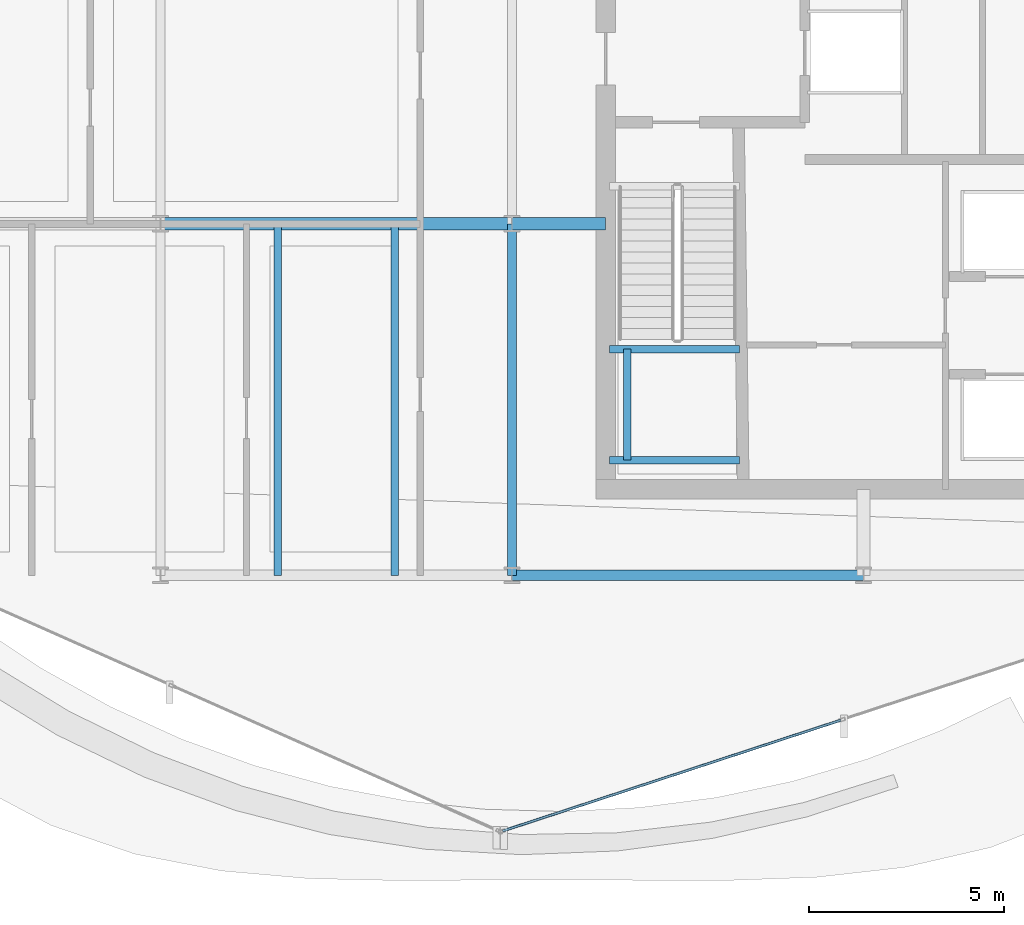
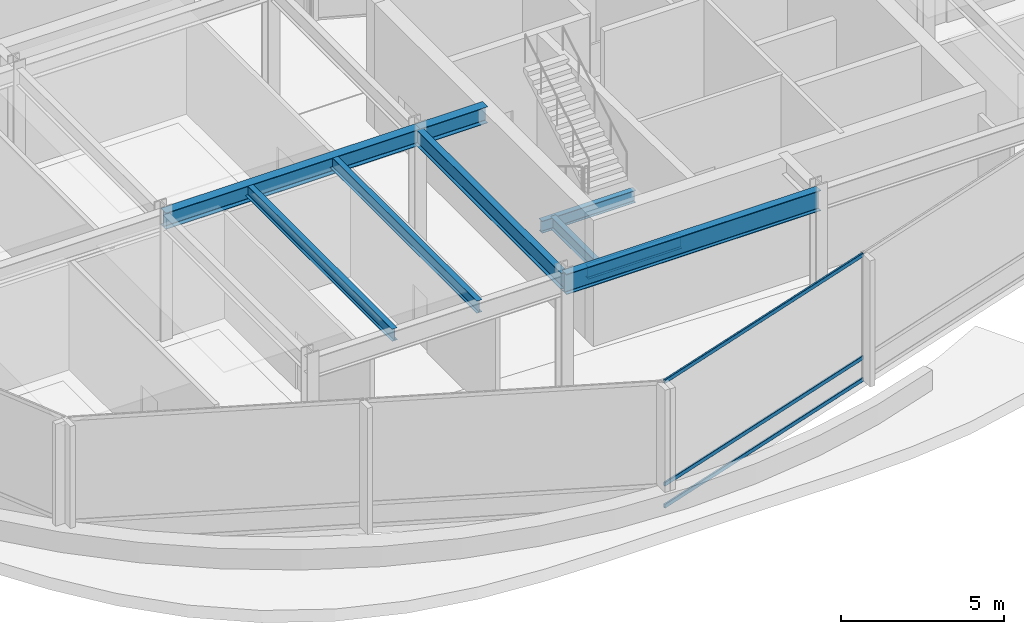
# One storey, part 4 of 29: 9 beams, 3 members, 1 element without a shape of its own.
"""IFC4 building model written with IfcOpenShell, lengths in metres."""

from ifc_helpers import new_model, si_unit, direction, frame, origin, origin_2d, place, context, subcontext, project, spatial, hollow_rectangle, i_section, extrude, material, layer, layer_set, material_profile, profile_set, type_object, element, aggregate, save


model = new_model("IFC4")

# Units and contexts
model_context = context("Model", 3, precision=1e-05, world=origin(), true_north=direction((0.0, 1.0)))
body_context = subcontext(model_context, "Body", "Model", "MODEL_VIEW")
ifc_project = project(units=[si_unit("LENGTHUNIT", "METRE"), si_unit("AREAUNIT", "SQUARE_METRE"), si_unit("VOLUMEUNIT", "CUBIC_METRE"), si_unit("PLANEANGLEUNIT", "RADIAN"), si_unit("MASSUNIT", "GRAM", prefix="KILO")], contexts=[model_context])

# Site, building, storey
site_placement = place(None, origin())
site = spatial("IfcSite", under=ifc_project, at=site_placement, CompositionType="ELEMENT")
building_placement = place(site_placement, origin())
building = spatial("IfcBuilding", under=site, at=building_placement, Name="Solvaryn Broadcast Tower", CompositionType="ELEMENT")
storey_placement = place(building_placement, frame((0.0, 0.0, 169.199951171875)))
storey = spatial("IfcBuildingStorey", under=building, at=storey_placement, Name="L42", CompositionType="ELEMENT", Elevation=169.199951171875)

# Beams
ifc_material_1 = material(Name="Steel ASTM A992 Grade 50", Category="steel")
ifc_material_profile_1 = material_profile(ifc_material_1, i_section(OverallWidth=0.323974609375, OverallDepth=0.611083984375, WebThickness=0.0126953125, FlangeThickness=0.01904296875, FilletRadius=0.014892578125, at=origin_2d()))
ifc_profile_set_1 = profile_set([ifc_material_profile_1], Name="Steel ASTM A992 Grade 50")
beam_type_1 = type_object("IfcBeamType", Name="BM-B1-W24X104", PredefinedType="BEAM", material=ifc_profile_set_1)
beam_1_placement = place(storey_placement, frame((18.0, 18.0, 4.41455078125), z_axis=(1.0, 0.0, 0.0), x_axis=(0.0, 1.0, 0.0)))
element("IfcBeam", 1, at=beam_1_placement, inside=storey, type_object=beam_type_1, Name="L42 Primary Beam X (18-27 @ Y=18)", PredefinedType="BEAM", context=body_context, shape_type="SweptSolid", body=[
    extrude(i_section(OverallWidth=0.323974609375, OverallDepth=0.611083984375, WebThickness=0.0126953125, FlangeThickness=0.01904296875, FilletRadius=0.014892578125, at=origin_2d()), origin(), (0.0, 0.0, 1.0), 9.0),
])
beam_2_placement = place(storey_placement, frame((27.0, 18.0, 4.41455078125), z_axis=(1.0, 0.0, 0.0), x_axis=(0.0, 1.0, 0.0)))
element("IfcBeam", 2, at=beam_2_placement, inside=storey, type_object=beam_type_1, Name="L42 Core Tie Beam CTE4", PredefinedType="BEAM", context=body_context, shape_type="SweptSolid", body=[
    extrude(i_section(OverallWidth=0.323974609375, OverallDepth=0.611083984375, WebThickness=0.0126953125, FlangeThickness=0.01904296875, FilletRadius=0.014892578125, at=origin_2d()), origin(), (0.0, 0.0, 1.0), 2.39990234375),
])
ifc_material_2 = material(Name="Steel ASTM A992 Grade 50", Category="steel")
ifc_material_profile_2 = material_profile(ifc_material_2, i_section(OverallWidth=0.22802734375, OverallDepth=0.60791015625, WebThickness=0.01123046875, FlangeThickness=0.017333984375, FilletRadius=0.014892578125, at=origin_2d()))
ifc_profile_set_2 = profile_set([ifc_material_profile_2], Name="Steel ASTM A992 Grade 50")
beam_type_2 = type_object("IfcBeamType", Name="BM-B2-W24X76", PredefinedType="BEAM", material=ifc_profile_set_2)
beam_3_placement = place(storey_placement, frame((27.0, 9.0, 4.416015625), z_axis=(0.0, 1.0, 0.0), x_axis=(-1.0, 0.0, 0.0)))
element("IfcBeam", 3, at=beam_3_placement, inside=storey, type_object=beam_type_2, Name="L42 Primary Beam Y (9-18 @ X=27)", PredefinedType="BEAM", context=body_context, shape_type="SweptSolid", body=[
    extrude(i_section(OverallWidth=0.22802734375, OverallDepth=0.60791015625, WebThickness=0.01123046875, FlangeThickness=0.017333984375, FilletRadius=0.014892578125, at=origin_2d()), origin(), (0.0, 0.0, 1.0), 9.0),
])
ifc_material_3 = material(Name="Steel ASTM A992 Grade 50", Category="steel")
ifc_material_profile_3 = material_profile(ifc_material_3, i_section(OverallWidth=0.18994140625, OverallDepth=0.45703125, WebThickness=0.009033203125, FlangeThickness=0.014404296875, FilletRadius=0.011962890625, at=origin_2d()))
ifc_profile_set_3 = profile_set([ifc_material_profile_3], Name="Steel ASTM A992 Grade 50")
beam_type_3 = type_object("IfcBeamType", Name="BM-B4-W18X50", PredefinedType="BEAM", material=ifc_profile_set_3)
for number, where, z_axis, x_axis, name in (
    (4, (29.5, 11.949951171875, 2.071533203125), (1.0, 0.0, 0.0), (0.0, 1.0, 0.0), "L42 ST3 Landing Support Beam 1A"),
    (5, (29.5, 14.7900390625, 2.071533203125), (1.0, 0.0, 0.0), (0.0, 1.0, 0.0), "L42 ST3 Landing Support Beam 1B"),
):
    element("IfcBeam", number, at=place(storey_placement, frame(where, z_axis=z_axis, x_axis=x_axis)), inside=storey, type_object=beam_type_3, Name=name, PredefinedType="BEAM", context=body_context, shape_type="SweptSolid", body=[
        extrude(i_section(OverallWidth=0.18994140625, OverallDepth=0.45703125, WebThickness=0.009033203125, FlangeThickness=0.014404296875, FilletRadius=0.011962890625, at=origin_2d()), origin(), (0.0, 0.0, 1.0), 3.320068359375),
    ])
beam_4_placement = place(storey_placement, frame((29.949951171875, 11.949951171875, 2.071533203125), z_axis=(0.0, 1.0, 0.0), x_axis=(-1.0, 0.0, 0.0)))
element("IfcBeam", 6, at=beam_4_placement, inside=storey, type_object=beam_type_3, Name="L42 ST3 Landing Cross Stringer 1C", PredefinedType="BEAM", context=body_context, shape_type="SweptSolid", body=[
    extrude(i_section(OverallWidth=0.18994140625, OverallDepth=0.45703125, WebThickness=0.009033203125, FlangeThickness=0.014404296875, FilletRadius=0.011962890625, at=origin_2d()), origin(), (0.0, 0.0, 1.0), 2.840087890625),
])
ifc_material_4 = material(Name="Steel ASTM A992 Grade 50", Category="steel")
ifc_material_profile_4 = material_profile(ifc_material_4, i_section(OverallWidth=0.18994140625, OverallDepth=0.45703125, WebThickness=0.009033203125, FlangeThickness=0.014404296875, FilletRadius=0.011962890625, at=origin_2d()))
ifc_profile_set_4 = profile_set([ifc_material_profile_4], Name="Steel ASTM A992 Grade 50")
beam_type_4 = type_object("IfcBeamType", Name="BM-JOIST-W18X50", PredefinedType="JOIST", material=ifc_profile_set_4)
for number, where, z_axis, x_axis, name in (
    (7, (21.0, 9.0, 4.491455078125), (0.0, 1.0, 0.0), (-1.0, 0.0, 0.0), "L42 Sky-Garden Floor Joist 1"),
    (8, (24.0, 9.0, 4.491455078125), (0.0, 1.0, 0.0), (-1.0, 0.0, 0.0), "L42 Sky-Garden Floor Joist 2"),
):
    element("IfcBeam", number, at=place(storey_placement, frame(where, z_axis=z_axis, x_axis=x_axis)), inside=storey, type_object=beam_type_4, Name=name, PredefinedType="JOIST", context=body_context, shape_type="SweptSolid", body=[
        extrude(i_section(OverallWidth=0.18994140625, OverallDepth=0.45703125, WebThickness=0.009033203125, FlangeThickness=0.014404296875, FilletRadius=0.011962890625, at=origin_2d()), origin(), (0.0, 0.0, 1.0), 9.0),
    ])
ifc_material_5 = material(Name="Steel ASTM A992 Grade 50", Category="steel")
ifc_material_profile_5 = material_profile(ifc_material_5, i_section(OverallWidth=0.26708984375, OverallDepth=0.76611328125, WebThickness=0.014892578125, FlangeThickness=0.023681640625, FilletRadius=0.01806640625, at=origin_2d()))
ifc_profile_set_5 = profile_set([ifc_material_profile_5], Name="Steel ASTM A992 Grade 50")
beam_type_5 = type_object("IfcBeamType", Name="BM-SP2-W30X124", PredefinedType="USERDEFINED", material=ifc_profile_set_5)
beam_5_placement = place(storey_placement, frame((27.0, 9.0, 4.337158203125), z_axis=(1.0, 0.0, 0.0), x_axis=(0.0, 1.0, 0.0)))
element("IfcBeam", 9, at=beam_5_placement, inside=storey, type_object=beam_type_5, Name="L42 Spandrel Beam X (27-36 @ Y=9)", ObjectType="SPANDREL", PredefinedType="USERDEFINED", context=body_context, shape_type="SweptSolid", body=[
    extrude(i_section(OverallWidth=0.26708984375, OverallDepth=0.76611328125, WebThickness=0.014892578125, FlangeThickness=0.023681640625, FilletRadius=0.01806640625, at=origin_2d()), origin(), (0.0, 0.0, 1.0), 9.0),
])

# Curtain wall, members
ifc_material_6 = material(Name="Aluminium and Terracotta Unitised Curtain Wall", Category="masonry")
ifc_layer = layer(ifc_material_6, 0.25)
ifc_layer_set = layer_set([ifc_layer], Name="CW-SYS4-SKYGARDEN")
curtain_wall_type = type_object("IfcCurtainWallType", Name="CW-SYS4-SKYGARDEN", PredefinedType="NOTDEFINED", material=ifc_layer_set)
curtain_wall_placement = place(storey_placement, origin())
curtain_wall = element("IfcCurtainWall", 10, at=curtain_wall_placement, inside=storey, type_object=curtain_wall_type, Name="L42 Curtain Wall DR4", PredefinedType="NOTDEFINED")
ifc_material_7 = material(Name="Anodised Aluminium 6063-T6", Category="aluminium")
ifc_material_profile_6 = material_profile(ifc_material_7, hollow_rectangle(XDim=0.06494140625, YDim=0.14990234375, WallThickness=0.00390625, InnerFilletRadius=0.00390625, OuterFilletRadius=0.008056640625, at=origin_2d()))
ifc_profile_set_6 = profile_set([ifc_material_profile_6], Name="Anodised Aluminium 6063-T6")
member_type = type_object("IfcMemberType", Name="CW-TRN-150", PredefinedType="USERDEFINED", material=ifc_profile_set_6)
member_1_placement = place(storey_placement, frame((26.762939453125, 2.45166015625, 0.030029296875), z_axis=(0.950229540973, 0.311550669172, 0.0), x_axis=(-0.311550669172, 0.950229540973, 0.0)))
member_1 = element("IfcMember", 11, at=member_1_placement, type_object=member_type, Name="CWS4 transom 1.1", ObjectType="TRANSOM", PredefinedType="USERDEFINED", context=body_context, shape_type="SweptSolid", body=[
    extrude(hollow_rectangle(XDim=0.06494140625, YDim=0.14990234375, WallThickness=0.00390625, InnerFilletRadius=0.00390625, OuterFilletRadius=0.008056640625, at=origin_2d()), origin(), (0.0, 0.0, 1.0), 9.105712890625),
])
member_2_placement = place(storey_placement, frame((26.762939453125, 2.45166015625, 0.85009765625), z_axis=(0.950229540973, 0.311550669172, 0.0), x_axis=(-0.311550669172, 0.950229540973, 0.0)))
member_2 = element("IfcMember", 12, at=member_2_placement, type_object=member_type, Name="CWS4 transom 1.2", ObjectType="TRANSOM", PredefinedType="USERDEFINED", context=body_context, shape_type="SweptSolid", body=[
    extrude(hollow_rectangle(XDim=0.06494140625, YDim=0.14990234375, WallThickness=0.00390625, InnerFilletRadius=0.00390625, OuterFilletRadius=0.008056640625, at=origin_2d()), origin(), (0.0, 0.0, 1.0), 9.105712890625),
])
member_3_placement = place(storey_placement, frame((26.762939453125, 2.45166015625, 4.68994140625), z_axis=(0.950229540973, 0.311550669172, 0.0), x_axis=(-0.311550669172, 0.950229540973, 0.0)))
member_3 = element("IfcMember", 13, at=member_3_placement, type_object=member_type, Name="CWS4 transom 1.3", ObjectType="TRANSOM", PredefinedType="USERDEFINED", context=body_context, shape_type="SweptSolid", body=[
    extrude(hollow_rectangle(XDim=0.06494140625, YDim=0.14990234375, WallThickness=0.00390625, InnerFilletRadius=0.00390625, OuterFilletRadius=0.008056640625, at=origin_2d()), origin(), (0.0, 0.0, 1.0), 9.105712890625),
])
aggregate(curtain_wall, [member_1, member_2, member_3])

save(model, "model.ifc")
